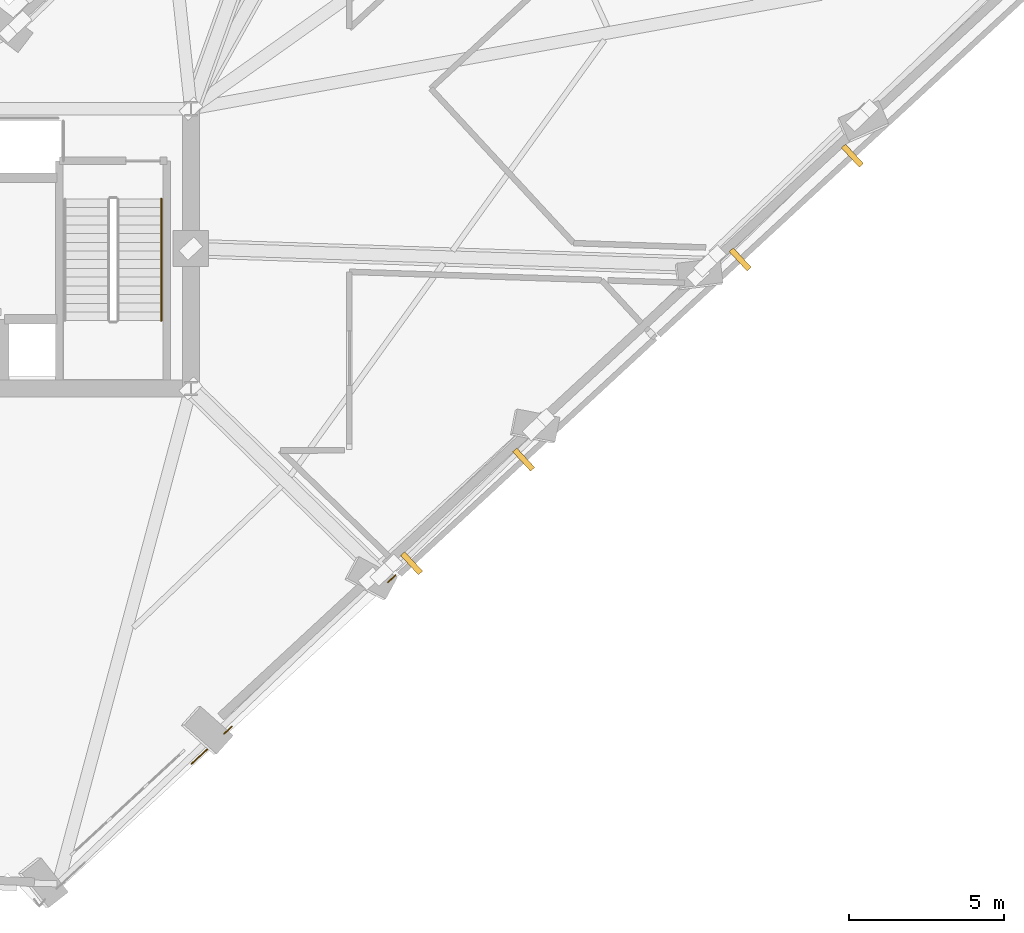
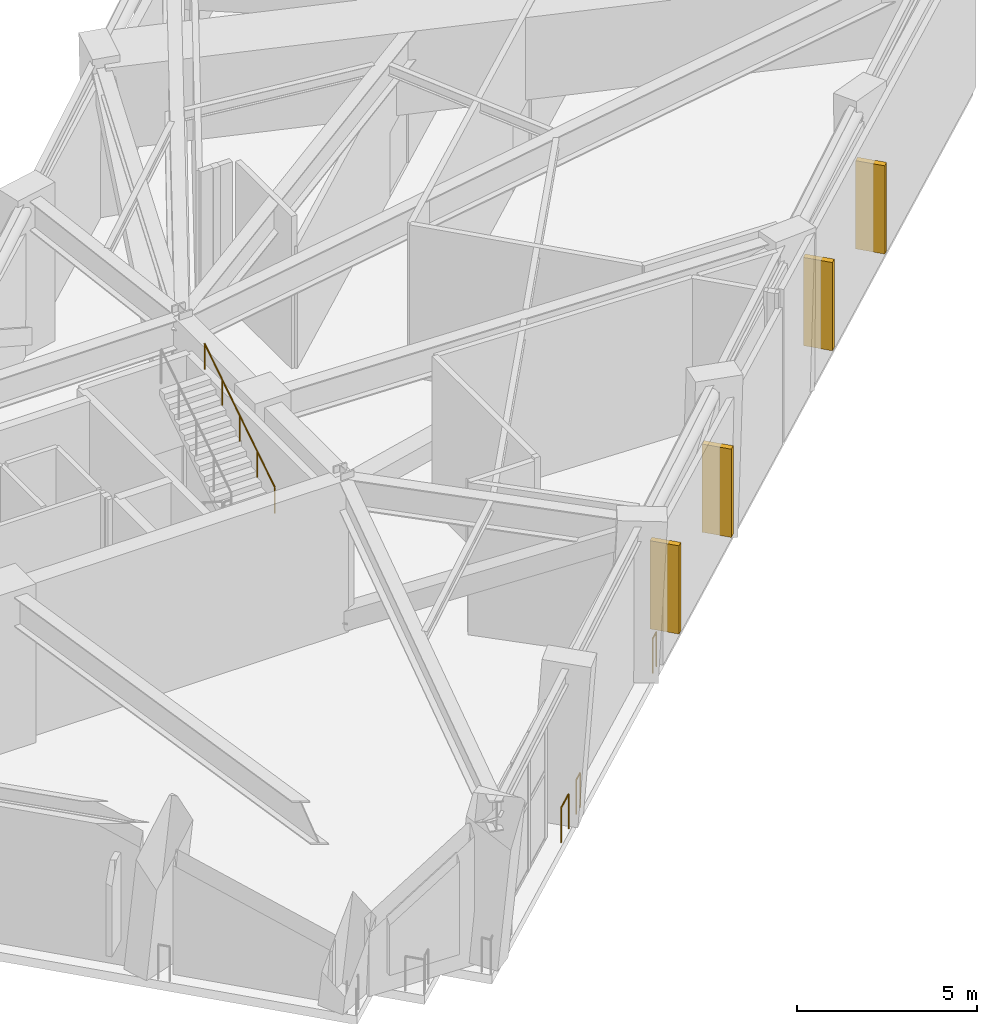
# One storey, part 13 of 15: 4 railings, 4 shading devices.
"""IFC4 building model written with IfcOpenShell, lengths in metres."""

import ifcopenshell
import ifcopenshell.guid

model = None  # the IFC model being written
_history = None  # IfcOwnerHistory: only IFC2X3 demands one
_inside = {}  # id of a spatial element -> (the spatial element, [elements in it])
_under = {}  # id of a project, library or spatial element -> (it, [spatial elements below it])
_declared = {}  # id of a project -> (the project, [libraries it declares])
_typed = {}  # id of a type object -> (the type object, [elements of that type])
_made_of = {}  # id of a material, layer set ... -> (it, [elements and type objects made of it])


def new_model(schema):
    """Start an empty IFC model of exactly this schema.

    Asked for "IFC4X3", IfcOpenShell would pick the latest addendum, in which some entities
    have other attributes; the version numbers below select the first issue.
    IFC2X3 requires an IfcOwnerHistory on every rooted entity: one is made here for all.
    """
    global model, _history
    if schema == "IFC4X3":
        model = ifcopenshell.file(schema_version=(4, 3, 0, 0))
    else:
        model = ifcopenshell.file(schema=schema)
    _inside.clear()
    _under.clear()
    _declared.clear()
    _typed.clear()
    _made_of.clear()
    _history = None
    if model.schema == "IFC2X3":
        org = make("IfcOrganization", Name="unknown")
        user = make(
            "IfcPersonAndOrganization",
            ThePerson=make("IfcPerson", FamilyName="unknown"),
            TheOrganization=org,
        )
        app = make(
            "IfcApplication",
            ApplicationDeveloper=org,
            Version="unknown",
            ApplicationFullName="unknown",
            ApplicationIdentifier="unknown",
        )
        _history = make(
            "IfcOwnerHistory",
            OwningUser=user,
            OwningApplication=app,
            ChangeAction="ADDED",
            CreationDate=0,
        )
    return model


def make(cls, **values):
    """One entity of the class cls with the attributes given. An attribute that is None is left unset."""
    return model.create_entity(
        cls, **{name: value for name, value in values.items() if value is not None}
    )


def rooted(cls, **values):
    """An entity with a GlobalId (a new one), such as an element, a storey or a relation."""
    return make(cls, GlobalId=ifcopenshell.guid.new(), OwnerHistory=_history, **values)


def si_unit(unit_type, name, prefix=None):
    """IfcSIUnit, for example si_unit("LENGTHUNIT", "METRE", prefix="MILLI")."""
    return make("IfcSIUnit", UnitType=unit_type, Prefix=prefix, Name=name)


def assignment(units):
    """IfcUnitAssignment: the units of a project."""
    return None if units is None else make("IfcUnitAssignment", Units=units)


def point(xyz):
    """IfcCartesianPoint."""
    return None if xyz is None else make("IfcCartesianPoint", Coordinates=xyz)


def direction(xyz):
    """IfcDirection."""
    return None if xyz is None else make("IfcDirection", DirectionRatios=xyz)


def frame(location, z_axis=None, x_axis=None):
    """IfcAxis2Placement3D, a coordinate frame: its origin and axes. An axis left out is left unset."""
    return make(
        "IfcAxis2Placement3D",
        Location=point(location),
        Axis=direction(z_axis),
        RefDirection=direction(x_axis),
    )


def frame_2d(location, x_axis=None):
    """IfcAxis2Placement2D, a coordinate frame in the plane: its origin and x axis."""
    return make(
        "IfcAxis2Placement2D", Location=point(location), RefDirection=direction(x_axis)
    )


def origin():
    """The frame at (0, 0, 0) with its axes left unset."""
    return frame((0.0, 0.0, 0.0))


def origin_2d():
    """The frame at (0, 0) in the plane with its x axis left unset."""
    return frame_2d((0.0, 0.0))


def place(relative_to, where):
    """IfcLocalPlacement: puts the frame where relative to a parent placement (None: the world)."""
    return make(
        "IfcLocalPlacement", PlacementRelTo=relative_to, RelativePlacement=where
    )


def context(
    kind, dimensions, precision=None, world=None, true_north=None, identifier=None
):
    """IfcGeometricRepresentationContext, for example the 3D "Model" context."""
    return make(
        "IfcGeometricRepresentationContext",
        ContextIdentifier=identifier,
        ContextType=kind,
        CoordinateSpaceDimension=dimensions,
        Precision=precision,
        WorldCoordinateSystem=world,
        TrueNorth=true_north,
    )


def subcontext(parent, identifier, kind, view, scale=None):
    """IfcGeometricRepresentationSubContext, for example "Body" below "Model"."""
    return make(
        "IfcGeometricRepresentationSubContext",
        ContextIdentifier=identifier,
        ContextType=kind,
        ParentContext=parent,
        TargetScale=scale,
        TargetView=view,
    )


def project(units=None, contexts=None):
    """IfcProject with its units and contexts."""
    return rooted(
        "IfcProject",
        Name="project",
        RepresentationContexts=contexts,
        UnitsInContext=assignment(units),
    )


def spatial(cls, under=None, at=None, **own):
    """A site, building, storey or space (cls), placed at a placement, below another one or the project."""
    s = rooted(cls, ObjectPlacement=at, **own)
    if under is not None:
        _under.setdefault(under.id(), (under, []))[1].append(s)
    return s


def profile(cls, at=None, kind="AREA", **sizes):
    """A parametric profile (cls). Its sizes go by their IFC names, for example OverallWidth=200.0."""
    return make(cls, ProfileType=kind, Position=at, **sizes)


def rectangle(**sizes):
    """IfcRectangleProfileDef."""
    return profile("IfcRectangleProfileDef", **sizes)


def circle(**sizes):
    """IfcCircleProfileDef."""
    return profile("IfcCircleProfileDef", **sizes)


def extrude(swept, where, along, depth):
    """IfcExtrudedAreaSolid: the profile swept, set in the frame where, extruded along a direction by depth."""
    return make(
        "IfcExtrudedAreaSolid",
        SweptArea=swept,
        Position=where,
        ExtrudedDirection=direction(along),
        Depth=depth,
    )


def shape(context_of_items, identifier, shape_type, items):
    """IfcShapeRepresentation: the items that make up one representation, for example the "Body"."""
    return make(
        "IfcShapeRepresentation",
        ContextOfItems=context_of_items,
        RepresentationIdentifier=identifier,
        RepresentationType=shape_type,
        Items=items,
    )


def material(Name=None, Category=None):
    """IfcMaterial."""
    return make("IfcMaterial", Name=Name, Category=Category)


def layer(
    of_material, thickness, ventilated=None, Name=None, Category=None, Priority=None
):
    """IfcMaterialLayer: one layer of a wall or slab, of a material (None: an air gap)."""
    return make(
        "IfcMaterialLayer",
        Material=of_material,
        LayerThickness=thickness,
        IsVentilated=ventilated,
        Name=Name,
        Category=Category,
        Priority=Priority,
    )


def layer_set(layers, Name=None):
    """IfcMaterialLayerSet."""
    return make("IfcMaterialLayerSet", MaterialLayers=layers, LayerSetName=Name)


def made_of(thing, what):
    """Note that an element or type object is made of a material, layer set ...; save() writes the relation."""
    if what is not None:
        _made_of.setdefault(what.id(), (what, []))[1].append(thing)
    return thing


def type_object(cls, material=None, **own):
    """A type object (cls), such as IfcWallType, which elements share."""
    return made_of(rooted(cls, **own), material)


def element(
    cls,
    number,
    at=None,
    inside=None,
    cuts=None,
    type_object=None,
    material=None,
    context=None,
    identifier="Body",
    shape_type=None,
    held_by="IfcProductDefinitionShape",
    body=None,
    shapes=None,
    **own,
):
    """One element of the class cls, such as IfcWall. Its Tag is "e" and its number.

    at: its placement. inside: the storey or other place that contains it. cuts: it is an
    opening in that element (IfcRelVoidsElement). A single representation is given by context,
    identifier, shape_type and body (its items); several are given by shapes. held_by: the class
    of the entity that holds the representations. save() writes the other relations.
    """
    e = rooted(cls, Tag="e%d" % number, ObjectPlacement=at, **own)
    if body is not None:
        shapes = [shape(context, identifier, shape_type, body)]
    if shapes is not None:
        e.Representation = make(held_by, Representations=shapes)
    if inside is not None:
        _inside.setdefault(inside.id(), (inside, []))[1].append(e)
    if cuts is not None:
        rooted(
            "IfcRelVoidsElement", RelatingBuildingElement=cuts, RelatedOpeningElement=e
        )
    if type_object is not None:
        _typed.setdefault(type_object.id(), (type_object, []))[1].append(e)
    return made_of(e, material)


def aggregate(whole, parts):
    """IfcRelAggregates: a whole, such as a stair, and the parts it consists of."""
    return rooted("IfcRelAggregates", RelatingObject=whole, RelatedObjects=parts)


def save(model, path):
    """Write the relations noted so far, then the file.

    IfcRelAggregates (storeys below a building ...), IfcRelContainedInSpatialStructure (elements
    in a storey), IfcRelDefinesByType, IfcRelAssociatesMaterial and IfcRelDeclares: one each for
    every whole, place, type object, material and project.
    """
    for whole, parts in _under.values():
        aggregate(whole, parts)
    for where, things in _inside.values():
        rooted(
            "IfcRelContainedInSpatialStructure",
            RelatedElements=things,
            RelatingStructure=where,
        )
    for kind, things in _typed.values():
        rooted("IfcRelDefinesByType", RelatedObjects=things, RelatingType=kind)
    for what, things in _made_of.values():
        rooted("IfcRelAssociatesMaterial", RelatedObjects=things, RelatingMaterial=what)
    for by, libraries in _declared.values():
        rooted("IfcRelDeclares", RelatingContext=by, RelatedDefinitions=libraries)
    model.write(path)


model = new_model("IFC4")

# Units and contexts
model_context = context("Model", 3, precision=1e-05, world=origin(), true_north=direction((0.0, 1.0)))
body_context = subcontext(model_context, "Body", "Model", "MODEL_VIEW")
ifc_project = project(units=[si_unit("LENGTHUNIT", "METRE"), si_unit("AREAUNIT", "SQUARE_METRE"), si_unit("VOLUMEUNIT", "CUBIC_METRE"), si_unit("PLANEANGLEUNIT", "RADIAN"), si_unit("MASSUNIT", "GRAM", prefix="KILO")], contexts=[model_context])

# Site, building, storey
site_placement = place(None, origin())
site = spatial("IfcSite", under=ifc_project, at=site_placement, CompositionType="ELEMENT")
building_placement = place(site_placement, origin())
building = spatial("IfcBuilding", under=site, at=building_placement, Name="Gaonmaruhae Medical Tower", CompositionType="ELEMENT")
storey_placement = place(building_placement, frame((0.0, 0.0, 205.800048828125)))
storey = spatial("IfcBuildingStorey", under=building, at=storey_placement, Name="L49", CompositionType="ELEMENT", Elevation=205.800048828125)

# Railings
ifc_material_1 = material(Name="Stainless steel 316L and laminated safety glass", Category="steel")
ifc_layer = layer(ifc_material_1, 0.080078125)
ifc_layer_set = layer_set([ifc_layer], Name="Stainless steel 316L and laminated safety glass")
railing_type_1 = type_object("IfcRailingType", Name="GD-120 Outdoor Terrace Safety Glass & Steel Balustrade", PredefinedType="BALUSTRADE", material=ifc_layer_set)
railing_1_placement = place(storey_placement, frame((35.617431640625, -4.288818359375, 0.0)))
element("IfcRailing", 1, at=railing_1_placement, inside=storey, type_object=railing_type_1, Name="L49 Perimeter Slab Edge Safety Balustrade 02", PredefinedType="BALUSTRADE", context=body_context, shape_type="SweptSolid", body=[
    extrude(circle(Radius=0.02392578125, at=origin_2d()), frame((0.0, 0.0, 1.17578125), z_axis=(0.734199690066, 0.678933586669, 0.0), x_axis=(-0.678933586669, 0.734199690066, 0.0)), (0.0, 0.0, 1.0), 0.697998046875),
    extrude(circle(Radius=0.02099609375, at=origin_2d()), origin(), (0.0, 0.0, 1.0), 1.15185546875),
    extrude(circle(Radius=0.02099609375, at=origin_2d()), frame((0.512451171875, 0.473876953125, 0.0)), (0.0, 0.0, 1.0), 1.15185546875),
])
railing_2_placement = place(storey_placement, frame((36.671142578125, -3.31494140625, 0.0)))
element("IfcRailing", 2, at=railing_2_placement, inside=storey, type_object=railing_type_1, Name="L49 Perimeter Slab Edge Safety Balustrade 03", PredefinedType="BALUSTRADE", context=body_context, shape_type="SweptSolid", body=[
    extrude(circle(Radius=0.02392578125, at=origin_2d()), frame((0.0, 0.0, 1.17578125), z_axis=(0.734251777161, 0.678877255279, 0.0), x_axis=(-0.678877255279, 0.734251777161, 0.0)), (0.0, 0.0, 1.0), 0.339599609375),
    extrude(circle(Radius=0.02099609375, at=origin_2d()), origin(), (0.0, 0.0, 1.0), 1.15185546875),
    extrude(circle(Radius=0.02099609375, at=origin_2d()), frame((0.249267578125, 0.23046875, 0.0)), (0.0, 0.0, 1.0), 1.15185546875),
])
railing_3_placement = place(storey_placement, frame((41.939697265625, 1.555419921875, 0.0)))
element("IfcRailing", 3, at=railing_3_placement, inside=storey, type_object=railing_type_1, Name="L49 Perimeter Slab Edge Safety Balustrade 04", PredefinedType="BALUSTRADE", context=body_context, shape_type="SweptSolid", body=[
    extrude(circle(Radius=0.02392578125, at=origin_2d()), frame((0.0, 0.0, 1.17578125), z_axis=(0.734278838715, 0.678847985204, 0.0), x_axis=(-0.678847985204, 0.734278838715, 0.0)), (0.0, 0.0, 1.0), 0.339111328125),
    extrude(circle(Radius=0.02099609375, at=origin_2d()), origin(), (0.0, 0.0, 1.0), 1.15185546875),
    extrude(circle(Radius=0.02099609375, at=origin_2d()), frame((0.2490234375, 0.230224609375, 0.0)), (0.0, 0.0, 1.0), 1.15185546875),
])
ifc_material_2 = material(Name="Stainless steel 304 handrail", Category="steel")
railing_type_2 = type_object("IfcRailingType", Name="HR-092 Continuous Stainless Steel Stair Handrail", PredefinedType="HANDRAIL", material=ifc_material_2)
railing_4_placement = place(storey_placement, frame((34.64990234375, 9.97998046875, 2.8798828125)))
element("IfcRailing", 4, at=railing_4_placement, inside=storey, type_object=railing_type_2, Name="L49 ST-02 stair handrail 2", PredefinedType="HANDRAIL", context=body_context, shape_type="SweptSolid", body=[
    extrude(circle(Radius=0.02392578125, at=origin_2d()), frame((0.0, 0.0, 0.8759765625), z_axis=(0.0, 0.841171666519, 0.540768182723), x_axis=(-1.0, 0.0, 0.0)), (0.0, 0.0, 1.0), 4.66015625),
    extrude(circle(Radius=0.02099609375, at=origin_2d()), origin(), (0.0, 0.0, 1.0), 0.851806640625),
    extrude(circle(Radius=0.02099609375, at=origin_2d()), frame((0.0, 0.97998046875, 0.6298828125)), (0.0, 0.0, 1.0), 0.851806640625),
    extrude(circle(Radius=0.02099609375, at=origin_2d()), frame((0.0, 1.9599609375, 1.260009765625)), (0.0, 0.0, 1.0), 0.851806640625),
    extrude(circle(Radius=0.02099609375, at=origin_2d()), frame((0.0, 2.93994140625, 1.89013671875)), (0.0, 0.0, 1.0), 0.851806640625),
    extrude(circle(Radius=0.02099609375, at=origin_2d()), frame((0.0, 3.919921875, 2.52001953125)), (0.0, 0.0, 1.0), 0.851806640625),
])

# Shading devices
ifc_material_3 = material(Name="Pigmented coral precast concrete C45/55", Category="concrete")
shading_device_type = type_object("IfcShadingDeviceType", Name="SD-FIN1 Tower Vertical Coral Precast Shading Fin", PredefinedType="USERDEFINED", material=ifc_material_3)
for number, where, z_axis, x_axis, name in (
    (5, (46.311279296875, 5.508056640625, 0.83251953125), (0.0, 0.0, 1.0), (-0.734322509436, -0.678800745533, 0.0), "L49 Vertical Coral Precast Shading Fin S03"),
    (6, (42.702880859375, 2.17236328125, 0.83251953125), (0.0, 0.0, 1.0), (-0.734322509436, -0.678800745533, 0.0), "L49 Vertical Coral Precast Shading Fin S03B"),
    (7, (56.8916015625, 15.288330078125, 0.83251953125), (0.0, 0.0, 1.0), (-0.734322509436, -0.678800745533, 0.0), "L49 Vertical Coral Precast Shading Fin S05"),
    (8, (53.2802734375, 11.949951171875, 0.83251953125), (0.0, 0.0, 1.0), (-0.734322509436, -0.678800745533, 0.0), "L49 Vertical Coral Precast Shading Fin S05B"),
):
    element("IfcShadingDevice", number, at=place(storey_placement, frame(where, z_axis=z_axis, x_axis=x_axis)), inside=storey, type_object=shading_device_type, Name=name, ObjectType="FIN", PredefinedType="USERDEFINED", context=body_context, shape_type="SweptSolid", body=[
        extrude(rectangle(XDim=0.179931640625, YDim=0.85009765625, at=origin_2d()), origin(), (0.0, 0.0, 1.0), 3.0),
    ])

save(model, "model.ifc")
